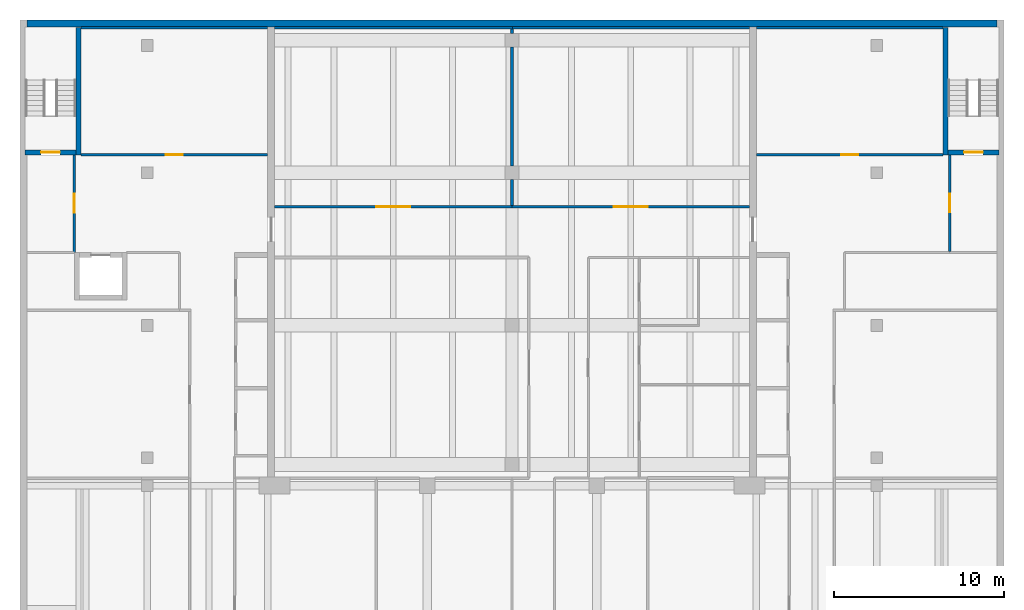
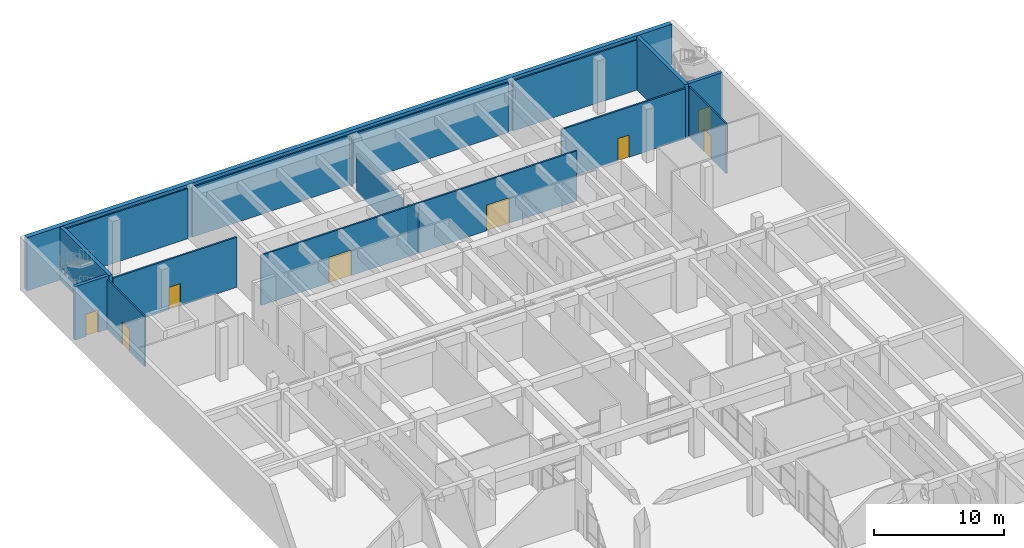
# One storey, part 25 of 29: 18 walls, 8 doors, 8 openings.
"""IFC4 building model written with IfcOpenShell, lengths in metres."""

from ifc_helpers import new_model, si_unit, direction, frame, frame_2d, origin, place, context, subcontext, project, spatial, rectangle, extrude, material, layer, layer_set, type_object, element, fill, save


model = new_model("IFC4")

# Units and contexts
model_context = context("Model", 3, precision=1e-05, world=origin(), true_north=direction((0.0, 1.0)))
body_context = subcontext(model_context, "Body", "Model", "MODEL_VIEW")
ifc_project = project(units=[si_unit("LENGTHUNIT", "METRE"), si_unit("AREAUNIT", "SQUARE_METRE"), si_unit("VOLUMEUNIT", "CUBIC_METRE"), si_unit("PLANEANGLEUNIT", "RADIAN"), si_unit("MASSUNIT", "GRAM", prefix="KILO")], contexts=[model_context])

# Site, building, storey
site_placement = place(None, origin())
site = spatial("IfcSite", under=ifc_project, at=site_placement, CompositionType="ELEMENT")
building_placement = place(site_placement, origin())
building = spatial("IfcBuilding", under=site, at=building_placement, Name="Elmora Arch Market Hall", CompositionType="ELEMENT")
storey_placement = place(building_placement, frame((0.0, 0.0, -5.0)))
storey = spatial("IfcBuildingStorey", under=building, at=storey_placement, Name="LG", CompositionType="ELEMENT", Elevation=-5.0)

# Wall
ifc_material_1 = material(Name="Concrete C40/50", Category="concrete")
ifc_layer_1 = layer(ifc_material_1, 0.39990234375)
ifc_layer_set_1 = layer_set([ifc_layer_1], Name="Concrete C40/50")
wall_type_1 = type_object("IfcWallType", Name="Basement wall 400", PredefinedType="SOLIDWALL", material=ifc_layer_set_1)
wall_1_placement = place(storey_placement, frame((0.39990234375, 125.800048828125, 0.0), z_axis=(0.0, 0.0, 1.0), x_axis=(1.0, 0.0, 0.0)))
element("IfcWall", 1, at=wall_1_placement, inside=storey, type_object=wall_type_1, Name="Basement wall N LG", PredefinedType="SOLIDWALL", context=body_context, shape_type="SweptSolid", body=[
    extrude(rectangle(XDim=57.2001953125, YDim=0.39990234375, at=frame_2d((28.60009765625, 0.0))), origin(), (0.0, 0.0, 1.0), 5.0),
])

# Wall, opening, door
ifc_material_2 = material(Name="Blockwork", Category="masonry")
ifc_layer_2 = layer(ifc_material_2, 0.14990234375)
ifc_layer_set_2 = layer_set([ifc_layer_2], Name="Blockwork")
wall_type_2 = type_object("IfcWallType", Name="Blockwork partition 150 EI 120", PredefinedType="PARTITIONING", material=ifc_layer_set_2)
wall_2_placement = place(storey_placement, frame((15.0, 115.0, 0.0), z_axis=(0.0, 0.0, 1.0), x_axis=(1.0, 0.0, 0.0)))
wall_2 = element("IfcWall", 2, at=wall_2_placement, inside=storey, type_object=wall_type_2, Name="Partition PT-LG-066", PredefinedType="PARTITIONING", context=body_context, shape_type="SweptSolid", body=[
    extrude(rectangle(XDim=14.0, YDim=0.14990234375, at=frame_2d((7.0, 0.0))), origin(), (0.0, 0.0, 1.0), 4.699951171875),
])
opening_1_placement = place(wall_2_placement, frame((6.0, 0.0, 0.0)))
opening_1 = element("IfcOpeningElement", 3, at=opening_1_placement, cuts=wall_2, Name="Opening D-LG-034", PredefinedType="OPENING", context=body_context, shape_type="SweptSolid", body=[
    extrude(rectangle(XDim=2.0, YDim=2.39990234375, at=frame_2d((1.0, 1.199951171875))), frame((0.0, 0.0849609375, 0.0), z_axis=(0.0, -1.0, 0.0), x_axis=(1.0, 0.0, 0.0)), (0.0, 0.0, 1.0), 0.169921875),
])
ifc_material_3 = material(Name="Steel ASTM A653 galvanised", Category="steel")
door_type_1 = type_object("IfcDoorType", Name="Double door 2000 x 2400 FD90", OperationType="DOUBLE_DOOR_SINGLE_SWING", PredefinedType="DOOR", material=ifc_material_3)
door_1_placement = place(opening_1_placement, origin())
door_1 = element("IfcDoor", 4, at=door_1_placement, inside=storey, type_object=door_type_1, Name="D-LG-034", OperationType="DOUBLE_DOOR_SINGLE_SWING", OverallHeight=2.39990234375, OverallWidth=2.0, PredefinedType="DOOR", context=body_context, shape_type="SweptSolid", body=[
    extrude(rectangle(XDim=2.0, YDim=2.39990234375, at=frame_2d((1.0, 1.199951171875))), frame((0.0, 0.02490234375, 0.0), z_axis=(0.0, -1.0, 0.0), x_axis=(1.0, 0.0, 0.0)), (0.0, 0.0, 1.0), 0.050048828125),
])
fill(opening_1, door_1)

wall_3_placement = place(storey_placement, frame((29.0, 115.0, 0.0), z_axis=(0.0, 0.0, 1.0), x_axis=(1.0, 0.0, 0.0)))
wall_3 = element("IfcWall", 5, at=wall_3_placement, inside=storey, type_object=wall_type_2, Name="Partition PT-LG-067", PredefinedType="PARTITIONING", context=body_context, shape_type="SweptSolid", body=[
    extrude(rectangle(XDim=14.0, YDim=0.14990234375, at=frame_2d((7.0, 0.0))), origin(), (0.0, 0.0, 1.0), 4.699951171875),
])
opening_2_placement = place(wall_3_placement, frame((6.0, 0.0, 0.0)))
opening_2 = element("IfcOpeningElement", 6, at=opening_2_placement, cuts=wall_3, Name="Opening D-LG-035", PredefinedType="OPENING", context=body_context, shape_type="SweptSolid", body=[
    extrude(rectangle(XDim=2.0, YDim=2.39990234375, at=frame_2d((1.0, 1.199951171875))), frame((0.0, 0.0849609375, 0.0), z_axis=(0.0, -1.0, 0.0), x_axis=(1.0, 0.0, 0.0)), (0.0, 0.0, 1.0), 0.169921875),
])
door_2_placement = place(opening_2_placement, origin())
door_2 = element("IfcDoor", 7, at=door_2_placement, inside=storey, type_object=door_type_1, Name="D-LG-035", OperationType="DOUBLE_DOOR_SINGLE_SWING", OverallHeight=2.39990234375, OverallWidth=2.0, PredefinedType="DOOR", context=body_context, shape_type="SweptSolid", body=[
    extrude(rectangle(XDim=2.0, YDim=2.39990234375, at=frame_2d((1.0, 1.199951171875))), frame((0.0, 0.02490234375, 0.0), z_axis=(0.0, -1.0, 0.0), x_axis=(1.0, 0.0, 0.0)), (0.0, 0.0, 1.0), 0.050048828125),
])
fill(opening_2, door_2)

wall_4_placement = place(storey_placement, frame((3.60009765625, 118.050048828125, 0.0), z_axis=(0.0, 0.0, 1.0), x_axis=(1.0, 0.0, 0.0)))
wall_4 = element("IfcWall", 8, at=wall_4_placement, inside=storey, type_object=wall_type_2, Name="Partition PT-LG-068", PredefinedType="PARTITIONING", context=body_context, shape_type="SweptSolid", body=[
    extrude(rectangle(XDim=11.0, YDim=0.14990234375, at=frame_2d((5.5, 0.0))), origin(), (0.0, 0.0, 1.0), 4.699951171875),
])
opening_3_placement = place(wall_4_placement, frame((5.0, 0.0, 0.0)))
opening_3 = element("IfcOpeningElement", 9, at=opening_3_placement, cuts=wall_4, Name="Opening D-LG-038", PredefinedType="OPENING", context=body_context, shape_type="SweptSolid", body=[
    extrude(rectangle(XDim=1.0, YDim=2.10009765625, at=frame_2d((0.5, 1.050048828125))), frame((0.0, 0.0849609375, 0.0), z_axis=(0.0, -1.0, 0.0), x_axis=(1.0, 0.0, 0.0)), (0.0, 0.0, 1.0), 0.169921875),
])
ifc_material_4 = material(Name="Steel ASTM A653 galvanised", Category="steel")
door_type_2 = type_object("IfcDoorType", Name="Door 1000 x 2100 FD90", OperationType="SINGLE_SWING_LEFT", PredefinedType="DOOR", material=ifc_material_4)
door_3_placement = place(opening_3_placement, origin())
door_3 = element("IfcDoor", 10, at=door_3_placement, inside=storey, type_object=door_type_2, Name="D-LG-038", OperationType="SINGLE_SWING_LEFT", OverallHeight=2.10009765625, OverallWidth=1.0, PredefinedType="DOOR", context=body_context, shape_type="SweptSolid", body=[
    extrude(rectangle(XDim=1.0, YDim=2.10009765625, at=frame_2d((0.5, 1.050048828125))), frame((0.0, 0.02490234375, 0.0), z_axis=(0.0, -1.0, 0.0), x_axis=(1.0, 0.0, 0.0)), (0.0, 0.0, 1.0), 0.050048828125),
])
fill(opening_3, door_3)

wall_5_placement = place(storey_placement, frame((43.39990234375, 118.050048828125, 0.0), z_axis=(0.0, 0.0, 1.0), x_axis=(1.0, 0.0, 0.0)))
wall_5 = element("IfcWall", 11, at=wall_5_placement, inside=storey, type_object=wall_type_2, Name="Partition PT-LG-069", PredefinedType="PARTITIONING", context=body_context, shape_type="SweptSolid", body=[
    extrude(rectangle(XDim=11.0, YDim=0.14990234375, at=frame_2d((5.5, 0.0))), origin(), (0.0, 0.0, 1.0), 4.699951171875),
])
opening_4_placement = place(wall_5_placement, frame((5.0, 0.0, 0.0)))
opening_4 = element("IfcOpeningElement", 12, at=opening_4_placement, cuts=wall_5, Name="Opening D-LG-039", PredefinedType="OPENING", context=body_context, shape_type="SweptSolid", body=[
    extrude(rectangle(XDim=1.0, YDim=2.10009765625, at=frame_2d((0.5, 1.050048828125))), frame((0.0, 0.0849609375, 0.0), z_axis=(0.0, -1.0, 0.0), x_axis=(1.0, 0.0, 0.0)), (0.0, 0.0, 1.0), 0.169921875),
])
door_4_placement = place(opening_4_placement, origin())
door_4 = element("IfcDoor", 13, at=door_4_placement, inside=storey, type_object=door_type_2, Name="D-LG-039", OperationType="SINGLE_SWING_LEFT", OverallHeight=2.10009765625, OverallWidth=1.0, PredefinedType="DOOR", context=body_context, shape_type="SweptSolid", body=[
    extrude(rectangle(XDim=1.0, YDim=2.10009765625, at=frame_2d((0.5, 1.050048828125))), frame((0.0, 0.02490234375, 0.0), z_axis=(0.0, -1.0, 0.0), x_axis=(1.0, 0.0, 0.0)), (0.0, 0.0, 1.0), 0.050048828125),
])
fill(opening_4, door_4)

# Walls
wall_6_placement = place(storey_placement, frame((3.60009765625, 125.550048828125, 0.0), z_axis=(0.0, 0.0, 1.0), x_axis=(1.0, 0.0, 0.0)))
element("IfcWall", 14, at=wall_6_placement, inside=storey, type_object=wall_type_2, Name="Partition PT-LG-070", PredefinedType="PARTITIONING", context=body_context, shape_type="SweptSolid", body=[
    extrude(rectangle(XDim=11.0, YDim=0.14990234375, at=frame_2d((5.5, 0.0))), origin(), (0.0, 0.0, 1.0), 4.699951171875),
])
for number, where, z_axis, x_axis, name in (
    (15, (15.0, 125.550048828125, 0.0), (0.0, 0.0, 1.0), (1.0, 0.0, 0.0), "Partition PT-LG-071"),
    (16, (28.969970703125, 125.550048828125, 0.0), (0.0, 0.0, 1.0), (1.0, 0.0, 0.0), "Partition PT-LG-072"),
):
    element("IfcWall", number, at=place(storey_placement, frame(where, z_axis=z_axis, x_axis=x_axis)), inside=storey, type_object=wall_type_2, Name=name, PredefinedType="PARTITIONING", context=body_context, shape_type="SweptSolid", body=[
        extrude(rectangle(XDim=14.030029296875, YDim=0.14990234375, at=frame_2d((7.01513671875, 0.0))), origin(), (0.0, 0.0, 1.0), 4.699951171875),
    ])
wall_7_placement = place(storey_placement, frame((43.39990234375, 125.550048828125, 0.0), z_axis=(0.0, 0.0, 1.0), x_axis=(1.0, 0.0, 0.0)))
element("IfcWall", 17, at=wall_7_placement, inside=storey, type_object=wall_type_2, Name="Partition PT-LG-073", PredefinedType="PARTITIONING", context=body_context, shape_type="SweptSolid", body=[
    extrude(rectangle(XDim=11.0, YDim=0.14990234375, at=frame_2d((5.5, 0.0))), origin(), (0.0, 0.0, 1.0), 4.699951171875),
])
wall_8_placement = place(storey_placement, frame((29.0, 115.074951171875, 0.0), z_axis=(0.0, 0.0, 1.0), x_axis=(0.0, 1.0, 0.0)))
element("IfcWall", 18, at=wall_8_placement, inside=storey, type_object=wall_type_2, Name="Partition PT-LG-098-102", PredefinedType="PARTITIONING", context=body_context, shape_type="SweptSolid", body=[
    extrude(rectangle(XDim=1.525146484375, YDim=0.14990234375, at=frame_2d((0.7626953125, 0.0))), origin(), (0.0, 0.0, 1.0), 3.60009765625),
])
wall_9_placement = place(storey_placement, frame((29.0, 117.39990234375, 0.0), z_axis=(0.0, 0.0, 1.0), x_axis=(0.0, 1.0, 0.0)))
element("IfcWall", 19, at=wall_9_placement, inside=storey, type_object=wall_type_2, Name="Partition PT-LG-098-103", PredefinedType="PARTITIONING", context=body_context, shape_type="SweptSolid", body=[
    extrude(rectangle(XDim=7.0, YDim=0.14990234375, at=frame_2d((3.5, 0.0))), origin(), (0.0, 0.0, 1.0), 3.60009765625),
])
wall_10_placement = place(storey_placement, frame((29.0, 125.199951171875, 0.0), z_axis=(0.0, 0.0, 1.0), x_axis=(0.0, 1.0, 0.0)))
element("IfcWall", 20, at=wall_10_placement, inside=storey, type_object=wall_type_2, Name="Partition PT-LG-098-104", PredefinedType="PARTITIONING", context=body_context, shape_type="SweptSolid", body=[
    extrude(rectangle(XDim=0.275146484375, YDim=0.14990234375, at=frame_2d((0.1376953125, 0.0))), origin(), (0.0, 0.0, 1.0), 4.699951171875),
])

# Wall, opening, door
ifc_material_5 = material(Name="Gypsum board on metal studs")
ifc_layer_3 = layer(ifc_material_5, 0.125)
ifc_layer_set_3 = layer_set([ifc_layer_3], Name="Gypsum board on metal studs")
wall_type_3 = type_object("IfcWallType", Name="Partition 125 EI 60", PredefinedType="PARTITIONING", material=ifc_layer_set_3)
wall_11_placement = place(storey_placement, frame((3.199951171875, 112.300048828125, 0.0), z_axis=(0.0, 0.0, 1.0), x_axis=(0.0, 1.0, 0.0)))
wall_11 = element("IfcWall", 21, at=wall_11_placement, inside=storey, type_object=wall_type_3, Name="Partition PT-LG-074", PredefinedType="PARTITIONING", context=body_context, shape_type="SweptSolid", body=[
    extrude(rectangle(XDim=5.75, YDim=0.125, at=frame_2d((2.875, 0.0))), origin(), (0.0, 0.0, 1.0), 4.699951171875),
])
opening_5_placement = place(wall_11_placement, frame((2.35009765625, 0.0, 0.0)))
opening_5 = element("IfcOpeningElement", 22, at=opening_5_placement, cuts=wall_11, Name="Opening D-LG-036", PredefinedType="OPENING", context=body_context, shape_type="SweptSolid", body=[
    extrude(rectangle(XDim=1.10009765625, YDim=2.10009765625, at=frame_2d((0.550048828125, 1.050048828125))), frame((0.0, 0.072509765625, 0.0), z_axis=(0.0, -1.0, 0.0), x_axis=(1.0, 0.0, 0.0)), (0.0, 0.0, 1.0), 0.14501953125),
])
ifc_material_6 = material(Name="Steel ASTM A653 galvanised", Category="steel")
door_type_3 = type_object("IfcDoorType", Name="Door 1100 x 2100 FD60", OperationType="SINGLE_SWING_LEFT", PredefinedType="DOOR", material=ifc_material_6)
door_5_placement = place(opening_5_placement, origin())
door_5 = element("IfcDoor", 23, at=door_5_placement, inside=storey, type_object=door_type_3, Name="D-LG-036", OperationType="SINGLE_SWING_LEFT", OverallHeight=2.10009765625, OverallWidth=1.10009765625, PredefinedType="DOOR", context=body_context, shape_type="SweptSolid", body=[
    extrude(rectangle(XDim=1.10009765625, YDim=2.10009765625, at=frame_2d((0.550048828125, 1.050048828125))), frame((0.0, 0.02490234375, 0.0), z_axis=(0.0, -1.0, 0.0), x_axis=(1.0, 0.0, 0.0)), (0.0, 0.0, 1.0), 0.050048828125),
])
fill(opening_5, door_5)

wall_12_placement = place(storey_placement, frame((54.800048828125, 112.362548828125, 0.0), z_axis=(0.0, 0.0, 1.0), x_axis=(0.0, 1.0, 0.0)))
wall_12 = element("IfcWall", 24, at=wall_12_placement, inside=storey, type_object=wall_type_3, Name="Partition PT-LG-125", PredefinedType="PARTITIONING", context=body_context, shape_type="SweptSolid", body=[
    extrude(rectangle(XDim=5.6875, YDim=0.125, at=frame_2d((2.84375, 0.0))), origin(), (0.0, 0.0, 1.0), 4.699951171875),
])
opening_6_placement = place(wall_12_placement, frame((2.300048828125, 0.0, 0.0)))
opening_6 = element("IfcOpeningElement", 25, at=opening_6_placement, cuts=wall_12, Name="Opening D-LG-037", PredefinedType="OPENING", context=body_context, shape_type="SweptSolid", body=[
    extrude(rectangle(XDim=1.10009765625, YDim=2.10009765625, at=frame_2d((0.550048828125, 1.050048828125))), frame((0.0, 0.072509765625, 0.0), z_axis=(0.0, -1.0, 0.0), x_axis=(1.0, 0.0, 0.0)), (0.0, 0.0, 1.0), 0.14501953125),
])
door_6_placement = place(opening_6_placement, frame((1.10009765625, 0.0, 0.0), z_axis=(0.0, 0.0, 1.0), x_axis=(-1.0, 0.0, 0.0)))
door_6 = element("IfcDoor", 26, at=door_6_placement, inside=storey, type_object=door_type_3, Name="D-LG-037", OperationType="SINGLE_SWING_LEFT", OverallHeight=2.10009765625, OverallWidth=1.10009765625, PredefinedType="DOOR", context=body_context, shape_type="SweptSolid", body=[
    extrude(rectangle(XDim=1.10009765625, YDim=2.10009765625, at=frame_2d((0.550048828125, 1.050048828125))), frame((0.0, 0.02490234375, 0.0), z_axis=(0.0, -1.0, 0.0), x_axis=(1.0, 0.0, 0.0)), (0.0, 0.0, 1.0), 0.050048828125),
])
fill(opening_6, door_6)

# Wall
ifc_material_7 = material(Name="Concrete C40/50", Category="concrete")
ifc_layer_4 = layer(ifc_material_7, 0.300048828125)
ifc_layer_set_4 = layer_set([ifc_layer_4], Name="Concrete C40/50")
wall_type_4 = type_object("IfcWallType", Name="Stair wall 300", PredefinedType="SHEAR", material=ifc_layer_set_4)
wall_13_placement = place(storey_placement, frame((3.449951171875, 118.050048828125, 0.0), z_axis=(0.0, 0.0, 1.0), x_axis=(0.0, 1.0, 0.0)))
element("IfcWall", 27, at=wall_13_placement, inside=storey, type_object=wall_type_4, Name="Stair wall ST-W E LG", PredefinedType="SHEAR", context=body_context, shape_type="SweptSolid", body=[
    extrude(rectangle(XDim=7.5, YDim=0.300048828125, at=frame_2d((3.75, 0.0))), origin(), (0.0, 0.0, 1.0), 5.0),
])

# Wall, opening, door
wall_14_placement = place(storey_placement, frame((0.300048828125, 118.199951171875, 0.0), z_axis=(0.0, 0.0, 1.0), x_axis=(1.0, 0.0, 0.0)))
wall_14 = element("IfcWall", 28, at=wall_14_placement, inside=storey, type_object=wall_type_4, Name="Stair wall ST-W S LG", PredefinedType="SHEAR", context=body_context, shape_type="SweptSolid", body=[
    extrude(rectangle(XDim=3.0, YDim=0.300048828125, at=frame_2d((1.5, 0.0))), origin(), (0.0, 0.0, 1.0), 5.0),
])
opening_7_placement = place(wall_14_placement, frame((0.949951171875, 0.0, 0.0)))
opening_7 = element("IfcOpeningElement", 29, at=opening_7_placement, cuts=wall_14, Name="Opening ST-W-LG", PredefinedType="OPENING", context=body_context, shape_type="SweptSolid", body=[
    extrude(rectangle(XDim=1.10009765625, YDim=2.10009765625, at=frame_2d((0.550048828125, 1.050048828125))), frame((0.0, 0.159912109375, 0.0), z_axis=(0.0, -1.0, 0.0), x_axis=(1.0, 0.0, 0.0)), (0.0, 0.0, 1.0), 0.320068359375),
])
ifc_material_8 = material(Name="Steel ASTM A653 galvanised", Category="steel")
door_type_4 = type_object("IfcDoorType", Name="Stair door 1100 x 2100 FD90", OperationType="SINGLE_SWING_LEFT", PredefinedType="DOOR", material=ifc_material_8)
door_7_placement = place(opening_7_placement, origin())
door_7 = element("IfcDoor", 30, at=door_7_placement, inside=storey, type_object=door_type_4, Name="Stair door ST-W LG", OperationType="SINGLE_SWING_LEFT", OverallHeight=2.10009765625, OverallWidth=1.10009765625, PredefinedType="DOOR", context=body_context, shape_type="SweptSolid", body=[
    extrude(rectangle(XDim=1.10009765625, YDim=2.10009765625, at=frame_2d((0.550048828125, 1.050048828125))), frame((0.0, 0.02490234375, 0.0), z_axis=(0.0, -1.0, 0.0), x_axis=(1.0, 0.0, 0.0)), (0.0, 0.0, 1.0), 0.050048828125),
])
fill(opening_7, door_7)

wall_15_placement = place(storey_placement, frame((54.699951171875, 118.199951171875, 0.0), z_axis=(0.0, 0.0, 1.0), x_axis=(1.0, 0.0, 0.0)))
wall_15 = element("IfcWall", 31, at=wall_15_placement, inside=storey, type_object=wall_type_4, Name="Stair wall ST-E S LG", PredefinedType="SHEAR", context=body_context, shape_type="SweptSolid", body=[
    extrude(rectangle(XDim=3.0, YDim=0.300048828125, at=frame_2d((1.5, 0.0))), origin(), (0.0, 0.0, 1.0), 5.0),
])
opening_8_placement = place(wall_15_placement, frame((0.949951171875, 0.0, 0.0)))
opening_8 = element("IfcOpeningElement", 32, at=opening_8_placement, cuts=wall_15, Name="Opening ST-E-LG", PredefinedType="OPENING", context=body_context, shape_type="SweptSolid", body=[
    extrude(rectangle(XDim=1.10009765625, YDim=2.10009765625, at=frame_2d((0.550048828125, 1.050048828125))), frame((0.0, 0.159912109375, 0.0), z_axis=(0.0, -1.0, 0.0), x_axis=(1.0, 0.0, 0.0)), (0.0, 0.0, 1.0), 0.320068359375),
])
door_8_placement = place(opening_8_placement, origin())
door_8 = element("IfcDoor", 33, at=door_8_placement, inside=storey, type_object=door_type_4, Name="Stair door ST-E LG", OperationType="SINGLE_SWING_LEFT", OverallHeight=2.10009765625, OverallWidth=1.10009765625, PredefinedType="DOOR", context=body_context, shape_type="SweptSolid", body=[
    extrude(rectangle(XDim=1.10009765625, YDim=2.10009765625, at=frame_2d((0.550048828125, 1.050048828125))), frame((0.0, 0.02490234375, 0.0), z_axis=(0.0, -1.0, 0.0), x_axis=(1.0, 0.0, 0.0)), (0.0, 0.0, 1.0), 0.050048828125),
])
fill(opening_8, door_8)

# Wall
wall_16_placement = place(storey_placement, frame((54.550048828125, 118.050048828125, 0.0), z_axis=(0.0, 0.0, 1.0), x_axis=(0.0, 1.0, 0.0)))
element("IfcWall", 34, at=wall_16_placement, inside=storey, type_object=wall_type_4, Name="Stair wall ST-E W LG", PredefinedType="SHEAR", context=body_context, shape_type="SweptSolid", body=[
    extrude(rectangle(XDim=7.5, YDim=0.300048828125, at=frame_2d((3.75, 0.0))), origin(), (0.0, 0.0, 1.0), 5.0),
])

save(model, "model.ifc")
